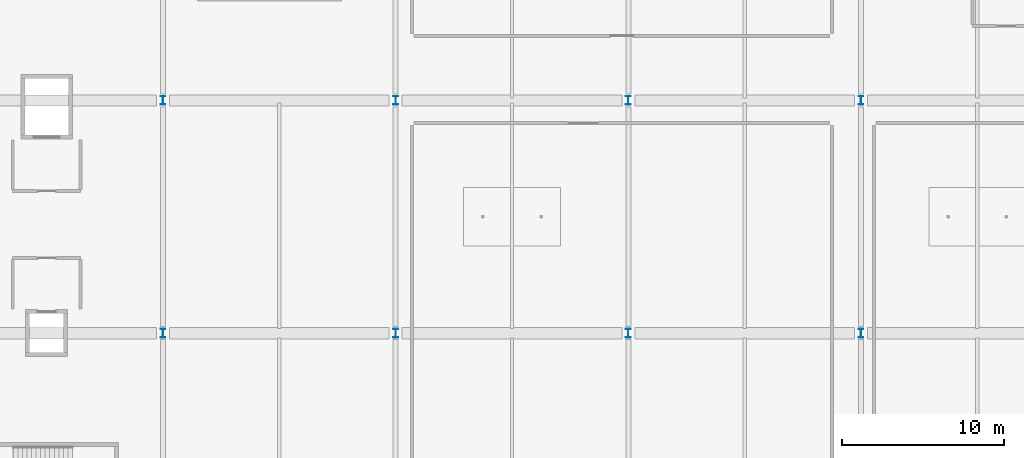
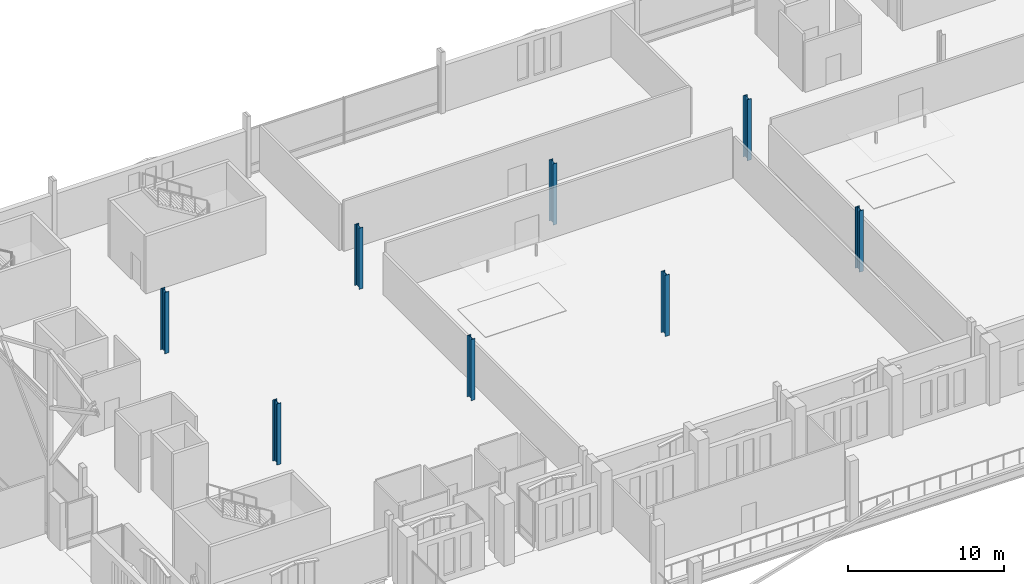
# One storey, part 18 of 220: 8 columns.
"""IFC4 building model written with IfcOpenShell, lengths in metres."""

from ifc_helpers import new_model, si_unit, direction, frame, origin, origin_2d, place, context, subcontext, project, spatial, i_section, extrude, material, material_profile, profile_set, type_object, element, save


model = new_model("IFC4")

# Units and contexts
model_context = context("Model", 3, precision=1e-05, world=origin(), true_north=direction((0.0, 1.0)))
body_context = subcontext(model_context, "Body", "Model", "MODEL_VIEW")
ifc_project = project(units=[si_unit("LENGTHUNIT", "METRE"), si_unit("AREAUNIT", "SQUARE_METRE"), si_unit("VOLUMEUNIT", "CUBIC_METRE"), si_unit("PLANEANGLEUNIT", "RADIAN"), si_unit("MASSUNIT", "GRAM", prefix="KILO")], contexts=[model_context])

# Site, building, storey
site_placement = place(None, origin())
site = spatial("IfcSite", under=ifc_project, at=site_placement, CompositionType="ELEMENT")
building_placement = place(site_placement, origin())
building = spatial("IfcBuilding", under=site, at=building_placement, Name="Cendralis Lancet Convention Centre", CompositionType="ELEMENT")
storey_placement = place(building_placement, frame((0.0, 0.0, 5.39990234375)))
storey = spatial("IfcBuildingStorey", under=building, at=storey_placement, Name="L01", CompositionType="ELEMENT", Elevation=5.39990234375)

# Columns
ifc_material = material(Name="Steel S355", Category="steel")
ifc_material_profile = material_profile(ifc_material, i_section(OverallWidth=0.300048828125, OverallDepth=0.550048828125, WebThickness=0.014892578125, FlangeThickness=0.029052734375, FilletRadius=0.027099609375, at=origin_2d()), Name="HEB 550")
ifc_profile_set = profile_set([ifc_material_profile], Name="Steel S355")
column_type = type_object("IfcColumnType", Name="STR-COL-C22-INT", PredefinedType="COLUMN", material=ifc_profile_set)
for number, where, z_axis, x_axis, name in (
    (1, (139.199951171875, 108.0, 0.0), (0.0, 0.0, 1.0), (1.0, 0.0, 0.0), "L01 Column C22 at 139.2,108.0"),
    (2, (139.199951171875, 122.39990234375, 0.0), (0.0, 0.0, 1.0), (1.0, 0.0, 0.0), "L01 Column C22 at 139.2,122.4"),
    (3, (153.60009765625, 108.0, 0.0), (0.0, 0.0, 1.0), (1.0, 0.0, 0.0), "L01 Column C22 at 153.6,108.0"),
    (4, (153.60009765625, 122.39990234375, 0.0), (0.0, 0.0, 1.0), (1.0, 0.0, 0.0), "L01 Column C22 at 153.6,122.4"),
    (5, (168.0, 108.0, 0.0), (0.0, 0.0, 1.0), (1.0, 0.0, 0.0), "L01 Column C22 at 168.0,108.0"),
    (6, (168.0, 122.39990234375, 0.0), (0.0, 0.0, 1.0), (1.0, 0.0, 0.0), "L01 Column C22 at 168.0,122.4"),
    (7, (182.39990234375, 108.0, 0.0), (0.0, 0.0, 1.0), (1.0, 0.0, 0.0), "L01 Column C22 at 182.4,108.0"),
    (8, (182.39990234375, 122.39990234375, 0.0), (0.0, 0.0, 1.0), (1.0, 0.0, 0.0), "L01 Column C22 at 182.4,122.4"),
):
    element("IfcColumn", number, at=place(storey_placement, frame(where, z_axis=z_axis, x_axis=x_axis)), inside=storey, type_object=column_type, Name=name, PredefinedType="COLUMN", context=body_context, shape_type="SweptSolid", body=[
        extrude(i_section(OverallWidth=0.300048828125, OverallDepth=0.550048828125, WebThickness=0.014892578125, FlangeThickness=0.029052734375, FilletRadius=0.027099609375, at=origin_2d()), origin(), (0.0, 0.0, 1.0), 4.800048828125),
    ])

save(model, "model.ifc")
